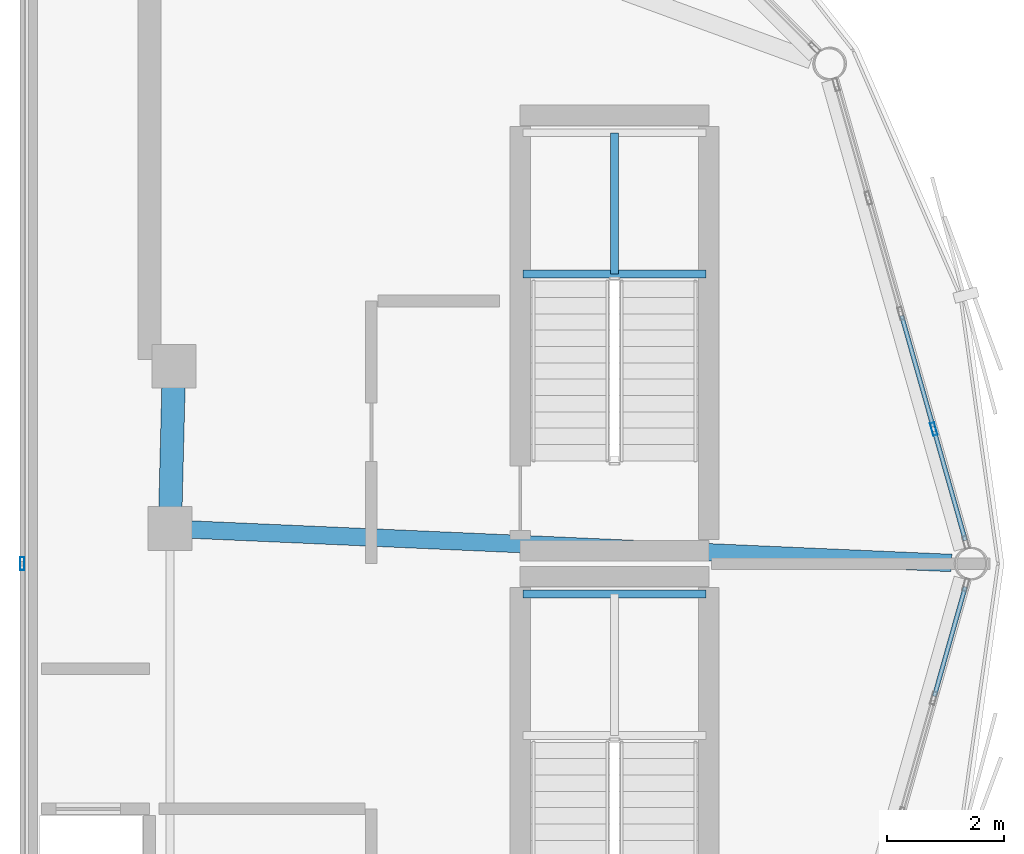
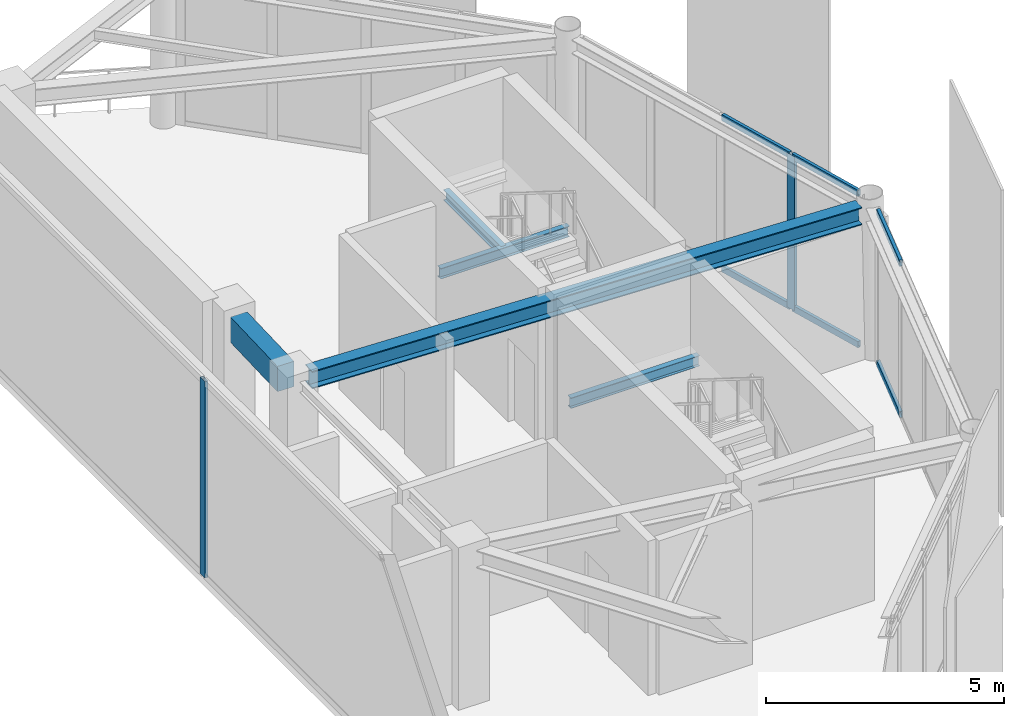
# One storey, part 5 of 13: 8 members, 5 beams, 3 elements without a shape of their own.
"""IFC4 building model written with IfcOpenShell, lengths in metres."""

from ifc_helpers import new_model, si_unit, direction, frame, origin, origin_2d, place, context, subcontext, project, spatial, rectangle, hollow_rectangle, i_section, extrude, material, layer, layer_set, material_profile, profile_set, type_object, element, aggregate, save


model = new_model("IFC4")

# Units and contexts
model_context = context("Model", 3, precision=1e-05, world=origin(), true_north=direction((0.0, 1.0)))
body_context = subcontext(model_context, "Body", "Model", "MODEL_VIEW")
ifc_project = project(units=[si_unit("LENGTHUNIT", "METRE"), si_unit("AREAUNIT", "SQUARE_METRE"), si_unit("VOLUMEUNIT", "CUBIC_METRE"), si_unit("PLANEANGLEUNIT", "RADIAN"), si_unit("MASSUNIT", "GRAM", prefix="KILO")], contexts=[model_context])

# Site, building, storey
site_placement = place(None, origin())
site = spatial("IfcSite", under=ifc_project, at=site_placement, CompositionType="ELEMENT")
building_placement = place(site_placement, origin())
building = spatial("IfcBuilding", under=site, at=building_placement, Name="Varnakorn Sky Granary", CompositionType="ELEMENT")
storey_placement = place(building_placement, frame((0.0, 0.0, 315.0)))
storey = spatial("IfcBuildingStorey", under=building, at=storey_placement, Name="L80", CompositionType="ELEMENT", Elevation=315.0)

# Beams
ifc_material_1 = material(Name="Concrete C50/60", Category="concrete")
ifc_material_profile_1 = material_profile(ifc_material_1, rectangle(XDim=0.39990234375, YDim=0.64990234375, at=origin_2d()), Name="RC 400x650")
ifc_profile_set_1 = profile_set([ifc_material_profile_1], Name="Concrete C50/60")
beam_type_1 = type_object("IfcBeamType", Name="BM-LIN-650", PredefinedType="LINTEL", material=ifc_profile_set_1)
beam_1_placement = place(storey_placement, frame((8.4111328125, 3.025146484375, 3.635009765625), z_axis=(-0.025227817192, -0.999681727971, 0.0), x_axis=(0.999681727971, -0.025227817192, 0.0)))
element("IfcBeam", 1, at=beam_1_placement, inside=storey, type_object=beam_type_1, Name="Core Spine Framing Beam 2 L80", PredefinedType="LINTEL", context=body_context, shape_type="SweptSolid", body=[
    extrude(rectangle(XDim=0.39990234375, YDim=0.64990234375, at=origin_2d()), origin(), (0.0, 0.0, 1.0), 2.071044921875),
])
ifc_material_2 = material(Name="Steel S355JR", Category="steel")
ifc_material_profile_2 = material_profile(ifc_material_2, i_section(OverallWidth=0.135009765625, OverallDepth=0.27001953125, WebThickness=0.006591796875, FlangeThickness=0.01025390625, at=origin_2d()), Name="IPE 270")
ifc_profile_set_2 = profile_set([ifc_material_profile_2], Name="Steel S355JR")
beam_type_2 = type_object("IfcBeamType", Name="BM-LND-270", PredefinedType="BEAM", material=ifc_profile_set_2)
beam_2_placement = place(storey_placement, frame((14.39990234375, 4.9599609375, 1.764892578125), z_axis=(1.0, 0.0, 0.0), x_axis=(0.0, 1.0, 0.0)))
element("IfcBeam", 2, at=beam_2_placement, inside=storey, type_object=beam_type_2, Name="Stair ST-C1 Landing Trimmer Beam A L80-1", PredefinedType="BEAM", context=body_context, shape_type="SweptSolid", body=[
    extrude(i_section(OverallWidth=0.135009765625, OverallDepth=0.27001953125, WebThickness=0.006591796875, FlangeThickness=0.01025390625, at=origin_2d()), origin(), (0.0, 0.0, 1.0), 3.130126953125),
])
beam_3_placement = place(storey_placement, frame((15.965087890625, 4.9599609375, 1.764892578125), z_axis=(0.0, 1.0, 0.0), x_axis=(-1.0, 0.0, 0.0)))
element("IfcBeam", 3, at=beam_3_placement, inside=storey, type_object=beam_type_2, Name="Stair ST-C1 Landing Cross Beam C L80-1", PredefinedType="BEAM", context=body_context, shape_type="SweptSolid", body=[
    extrude(i_section(OverallWidth=0.135009765625, OverallDepth=0.27001953125, WebThickness=0.006591796875, FlangeThickness=0.01025390625, at=origin_2d()), origin(), (0.0, 0.0, 1.0), 2.419921875),
])
beam_4_placement = place(storey_placement, frame((14.39990234375, -0.52001953125, 1.764892578125), z_axis=(1.0, 0.0, 0.0), x_axis=(0.0, 1.0, 0.0)))
element("IfcBeam", 4, at=beam_4_placement, inside=storey, type_object=beam_type_2, Name="Stair ST-C2 Landing Trimmer Beam B L80-1", PredefinedType="BEAM", context=body_context, shape_type="SweptSolid", body=[
    extrude(i_section(OverallWidth=0.135009765625, OverallDepth=0.27001953125, WebThickness=0.006591796875, FlangeThickness=0.01025390625, at=origin_2d()), origin(), (0.0, 0.0, 1.0), 3.130126953125),
])
ifc_material_profile_3 = material_profile(ifc_material_2, i_section(OverallWidth=0.300048828125, OverallDepth=0.449951171875, WebThickness=0.013916015625, FlangeThickness=0.02587890625, at=origin_2d()), Name="HE 450 B")
ifc_profile_set_3 = profile_set([ifc_material_profile_3], Name="Steel S355JR")
beam_type_3 = type_object("IfcBeamType", Name="BM-RAD-Z5", PredefinedType="BEAM", material=ifc_profile_set_3)
beam_5_placement = place(storey_placement, frame((8.70458984375, 0.58447265625, 3.735107421875), z_axis=(0.999035493193, -0.0439099458, 0.0), x_axis=(0.0439099458, 0.999035493193, 0.0)))
element("IfcBeam", 5, at=beam_5_placement, inside=storey, type_object=beam_type_3, Name="Radial Floor Girder RG01 L80", PredefinedType="BEAM", context=body_context, shape_type="SweptSolid", body=[
    extrude(i_section(OverallWidth=0.300048828125, OverallDepth=0.449951171875, WebThickness=0.013916015625, FlangeThickness=0.02587890625, at=origin_2d()), origin(), (0.0, 0.0, 1.0), 13.0439453125),
])

# Curtain wall, member
ifc_material_3 = material(Name="Anodised Bronze Aluminium Alloy 6063-T6", Category="aluminium")
ifc_layer = layer(ifc_material_3, 0.22998046875, Name="Anodised Bronze Aluminium Alloy 6063-T6")
ifc_layer_set = layer_set([ifc_layer], Name="Anodised Bronze Aluminium Alloy 6063-T6")
curtain_wall_type = type_object("IfcCurtainWallType", Name="CW-LNT-1", PredefinedType="USERDEFINED", material=ifc_layer_set)
curtain_wall_1_placement = place(storey_placement, origin())
curtain_wall_1 = element("IfcCurtainWall", 6, at=curtain_wall_1_placement, inside=storey, type_object=curtain_wall_type, Name="Unitised Curtain Wall CW7 CW-L80-B01", ObjectType="CURTAIN WALL", PredefinedType="USERDEFINED")
ifc_material_profile_4 = material_profile(ifc_material_3, hollow_rectangle(XDim=0.074951171875, YDim=0.219970703125, WallThickness=0.00390625, at=origin_2d()), Name="ALU MULL 75x220")
ifc_profile_set_4 = profile_set([ifc_material_profile_4], Name="Anodised Bronze Aluminium Alloy 6063-T6")
member_type_1 = type_object("IfcMemberType", Name="CW-LNT-1-MULL", PredefinedType="MULLION", material=ifc_profile_set_4)
member_1_placement = place(storey_placement, frame((21.43310546875, 2.305419921875, 0.0), z_axis=(0.0, 0.0, 1.0), x_axis=(0.962170396293, 0.272448396027, 0.0)))
member_1 = element("IfcMember", 7, at=member_1_placement, type_object=member_type_1, Name="CW7 mullion 4", PredefinedType="MULLION", context=body_context, shape_type="SweptSolid", body=[
    extrude(hollow_rectangle(XDim=0.074951171875, YDim=0.219970703125, WallThickness=0.00390625, at=origin_2d()), origin(), (0.0, 0.0, 1.0), 3.9599609375),
])

curtain_wall_2_placement = place(storey_placement, origin())
curtain_wall_2 = element("IfcCurtainWall", 8, at=curtain_wall_2_placement, inside=storey, type_object=curtain_wall_type, Name="Unitised Curtain Wall CW7 CW-L80-SLANT", ObjectType="CURTAIN WALL", PredefinedType="USERDEFINED")
member_2_placement = place(storey_placement, frame((5.820068359375, 0.0, 0.0), z_axis=(0.0, 0.0, 1.0), x_axis=(-1.0, 0.0, 0.0)))
member_2 = element("IfcMember", 9, at=member_2_placement, type_object=member_type_1, Name="CW7 mullion 2", PredefinedType="MULLION", context=body_context, shape_type="SweptSolid", body=[
    extrude(hollow_rectangle(XDim=0.074951171875, YDim=0.219970703125, WallThickness=0.00390625, at=origin_2d()), origin(), (0.0, 0.0, 1.0), 5.043701171875),
])
aggregate(curtain_wall_2, [member_2])

# Member
ifc_material_profile_5 = material_profile(ifc_material_3, hollow_rectangle(XDim=0.074951171875, YDim=0.159912109375, WallThickness=0.00390625, at=origin_2d()), Name="ALU TRAN 75x160")
ifc_profile_set_5 = profile_set([ifc_material_profile_5], Name="Anodised Bronze Aluminium Alloy 6063-T6")
member_type_2 = type_object("IfcMemberType", Name="CW-LNT-1-TRAN", PredefinedType="USERDEFINED", material=ifc_profile_set_5)
member_3_placement = place(storey_placement, frame((20.883056640625, 4.247802734375, 0.03759765625), z_axis=(0.27257215439, -0.962135344248, 0.0), x_axis=(0.962135344248, 0.27257215439, 0.0)))
member_3 = element("IfcMember", 10, at=member_3_placement, type_object=member_type_2, Name="CW7 transom 3.1", ObjectType="TRANSOM", PredefinedType="USERDEFINED", context=body_context, shape_type="SweptSolid", body=[
    extrude(hollow_rectangle(XDim=0.074951171875, YDim=0.159912109375, WallThickness=0.00390625, at=origin_2d()), origin(), (0.0, 0.0, 1.0), 1.981201171875),
])

member_4_placement = place(storey_placement, frame((20.883056640625, 4.247802734375, 3.922607421875), z_axis=(0.27257215439, -0.962135344248, 0.0), x_axis=(0.962135344248, 0.27257215439, 0.0)))
member_4 = element("IfcMember", 11, at=member_4_placement, type_object=member_type_2, Name="CW7 transom 3.2", ObjectType="TRANSOM", PredefinedType="USERDEFINED", context=body_context, shape_type="SweptSolid", body=[
    extrude(hollow_rectangle(XDim=0.074951171875, YDim=0.159912109375, WallThickness=0.00390625, at=origin_2d()), origin(), (0.0, 0.0, 1.0), 1.981201171875),
])

member_5_placement = place(storey_placement, frame((21.443359375, 2.269287109375, 0.03759765625), z_axis=(0.272530879647, -0.962147036393, 0.0), x_axis=(0.962147036393, 0.272530879647, 0.0)))
member_5 = element("IfcMember", 12, at=member_5_placement, type_object=member_type_2, Name="CW7 transom 4.1", ObjectType="TRANSOM", PredefinedType="USERDEFINED", context=body_context, shape_type="SweptSolid", body=[
    extrude(hollow_rectangle(XDim=0.074951171875, YDim=0.159912109375, WallThickness=0.00390625, at=origin_2d()), origin(), (0.0, 0.0, 1.0), 1.94384765625),
])

member_6_placement = place(storey_placement, frame((21.443359375, 2.269287109375, 3.922607421875), z_axis=(0.272530879647, -0.962147036393, 0.0), x_axis=(0.962147036393, 0.272530879647, 0.0)))
member_6 = element("IfcMember", 13, at=member_6_placement, type_object=member_type_2, Name="CW7 transom 4.2", ObjectType="TRANSOM", PredefinedType="USERDEFINED", context=body_context, shape_type="SweptSolid", body=[
    extrude(hollow_rectangle(XDim=0.074951171875, YDim=0.159912109375, WallThickness=0.00390625, at=origin_2d()), origin(), (0.0, 0.0, 1.0), 1.94384765625),
])

aggregate(curtain_wall_1, [member_1, member_3, member_4, member_5, member_6])

# Curtain wall, members
curtain_wall_3_placement = place(storey_placement, origin())
curtain_wall_3 = element("IfcCurtainWall", 14, at=curtain_wall_3_placement, inside=storey, type_object=curtain_wall_type, Name="Unitised Curtain Wall CW7 CW-L80-B12", ObjectType="CURTAIN WALL", PredefinedType="USERDEFINED")
member_7_placement = place(storey_placement, frame((21.97314453125, -0.39892578125, 0.03759765625), z_axis=(-0.272530879647, -0.962147036393, 0.0), x_axis=(0.962147036393, -0.272530879647, 0.0)))
member_7 = element("IfcMember", 15, at=member_7_placement, type_object=member_type_2, Name="CW7 transom 1.1", ObjectType="TRANSOM", PredefinedType="USERDEFINED", context=body_context, shape_type="SweptSolid", body=[
    extrude(hollow_rectangle(XDim=0.074951171875, YDim=0.159912109375, WallThickness=0.00390625, at=origin_2d()), origin(), (0.0, 0.0, 1.0), 1.94384765625),
])
member_8_placement = place(storey_placement, frame((21.97314453125, -0.39892578125, 3.922607421875), z_axis=(-0.272530879647, -0.962147036393, 0.0), x_axis=(0.962147036393, -0.272530879647, 0.0)))
member_8 = element("IfcMember", 16, at=member_8_placement, type_object=member_type_2, Name="CW7 transom 1.2", ObjectType="TRANSOM", PredefinedType="USERDEFINED", context=body_context, shape_type="SweptSolid", body=[
    extrude(hollow_rectangle(XDim=0.074951171875, YDim=0.159912109375, WallThickness=0.00390625, at=origin_2d()), origin(), (0.0, 0.0, 1.0), 1.94384765625),
])
aggregate(curtain_wall_3, [member_7, member_8])

save(model, "model.ifc")
